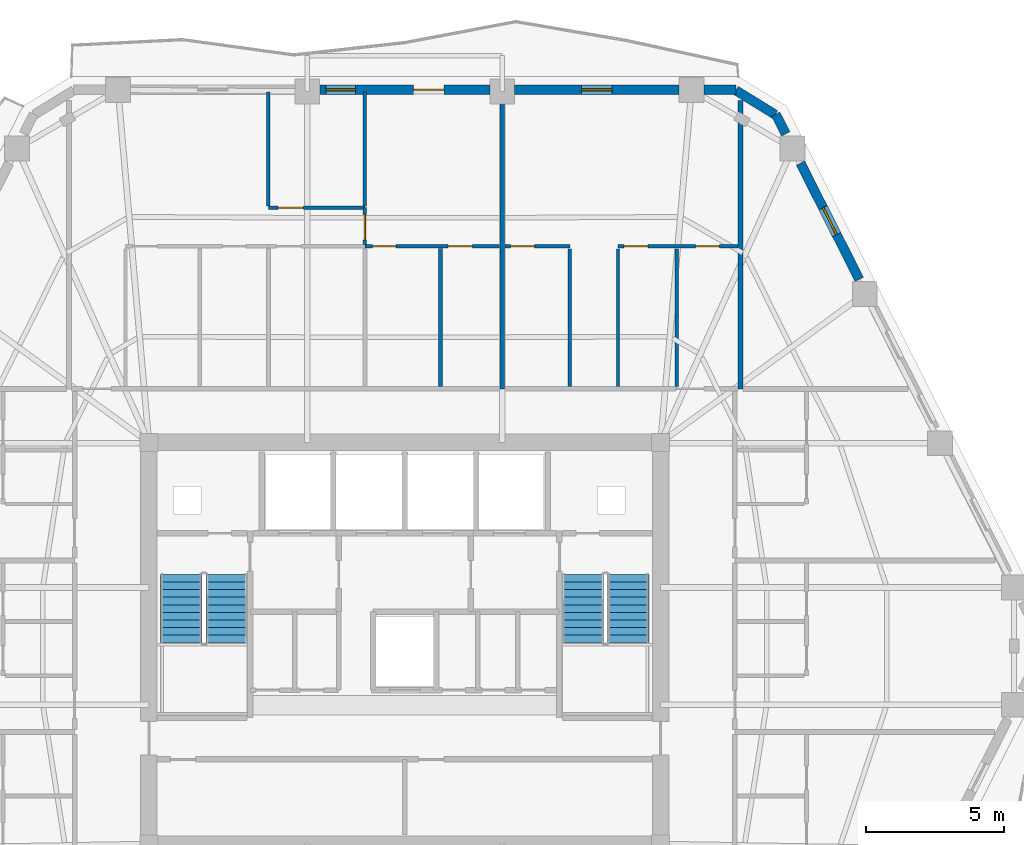
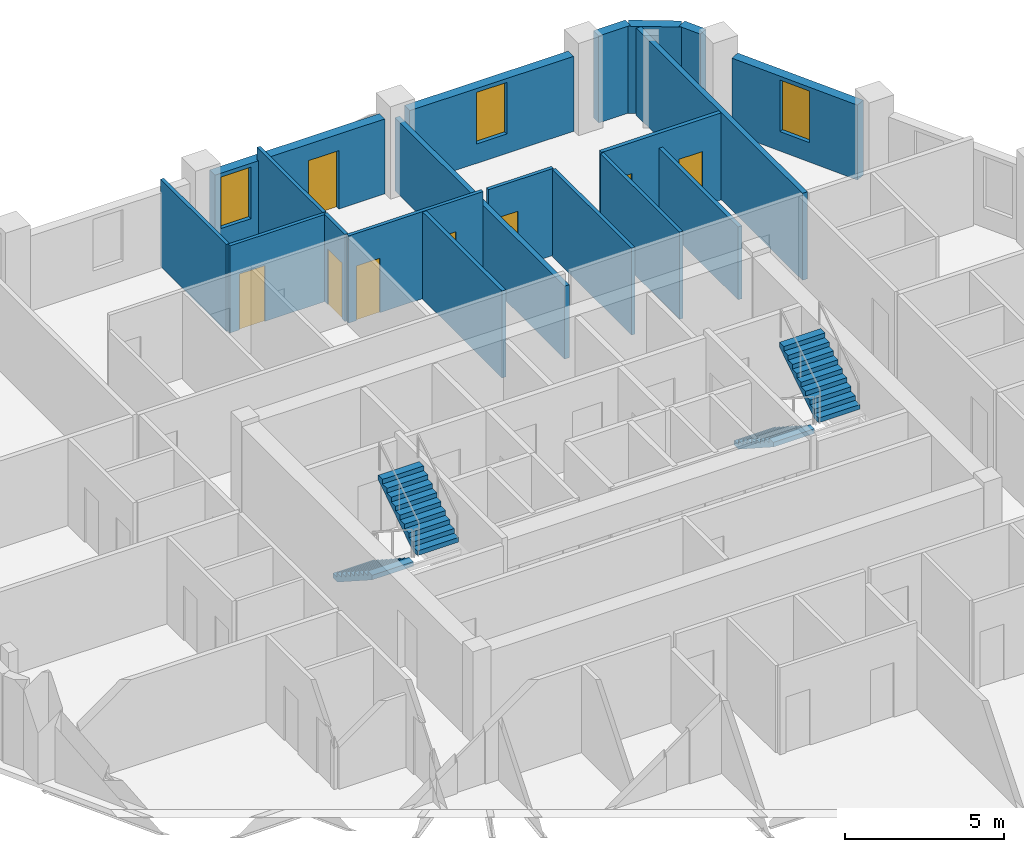
# One storey, part 8 of 10: 19 walls, 8 doors, 4 stair flights, 3 windows, 11 openings, 2 elements without a shape of their own.
"""IFC4 building model written with IfcOpenShell, lengths in metres."""

from ifc_helpers import new_model, si_unit, direction, frame, frame_2d, origin, place, context, subcontext, project, spatial, polyline, rectangle, outline, extrude, material, layer, layer_set, type_object, element, fill, aggregate, save


model = new_model("IFC4")

# Units and contexts
model_context = context("Model", 3, precision=1e-05, world=origin(), true_north=direction((0.0, 1.0)))
body_context = subcontext(model_context, "Body", "Model", "MODEL_VIEW")
ifc_project = project(units=[si_unit("LENGTHUNIT", "METRE"), si_unit("AREAUNIT", "SQUARE_METRE"), si_unit("VOLUMEUNIT", "CUBIC_METRE"), si_unit("PLANEANGLEUNIT", "RADIAN"), si_unit("MASSUNIT", "GRAM", prefix="KILO")], contexts=[model_context])

# Site, building, storey
site_placement = place(None, origin())
site = spatial("IfcSite", under=ifc_project, at=site_placement, CompositionType="ELEMENT")
building_placement = place(site_placement, origin())
building = spatial("IfcBuilding", under=site, at=building_placement, Name="Cinnabar Lancet Tower", CompositionType="ELEMENT")
storey_placement = place(building_placement, frame((0.0, 0.0, 203.85009765625)))
storey = spatial("IfcBuildingStorey", under=building, at=storey_placement, Name="L54", CompositionType="ELEMENT", Elevation=203.85009765625)

# Walls
ifc_material_1 = material(Name="Fire-rated twin-frame acoustic drywall", Category="gypsum")
ifc_layer_1 = layer(ifc_material_1, 0.179931640625)
ifc_layer_set_1 = layer_set([ifc_layer_1], Name="Fire-rated twin-frame acoustic drywall")
wall_type_1 = type_object("IfcWallType", Name="ARC-WL-PARTY-180", PredefinedType="PARTITIONING", material=ifc_layer_set_1)
wall_1_placement = place(storey_placement, frame((35.943115234375, 35.14990234375, 0.0), z_axis=(0.0, 0.0, 1.0), x_axis=(0.0, 1.0, 0.0)))
element("IfcWall", 1, at=wall_1_placement, inside=storey, type_object=wall_type_1, Name="PW-L54-NPTY-359", PredefinedType="PARTITIONING", context=body_context, shape_type="SweptSolid", body=[
    extrude(rectangle(XDim=10.695068359375, YDim=0.179931640625, at=frame_2d((5.34765625, 0.0))), origin(), (0.0, 0.0, 1.0), 2.806884765625),
])
wall_2_placement = place(storey_placement, frame((44.60009765625, 35.14990234375, 0.0), z_axis=(0.0, 0.0, 1.0), x_axis=(0.0, 1.0, 0.0)))
element("IfcWall", 2, at=wall_2_placement, inside=storey, type_object=wall_type_1, Name="PW-L54-NPTY-446", PredefinedType="PARTITIONING", context=body_context, shape_type="SweptSolid", body=[
    extrude(rectangle(XDim=10.482177734375, YDim=0.179931640625, at=frame_2d((5.2412109375, 0.0))), origin(), (0.0, 0.0, 1.0), 3.349853515625),
])

# Wall, openings, doors
ifc_material_2 = material(Name="Gypsum plasterboard stud partition", Category="gypsum")
ifc_layer_2 = layer(ifc_material_2, 0.125)
ifc_layer_set_2 = layer_set([ifc_layer_2], Name="Gypsum plasterboard stud partition")
wall_type_2 = type_object("IfcWallType", Name="ARC-WL-UNIT-125", PredefinedType="PARTITIONING", material=ifc_layer_set_2)
wall_3_placement = place(storey_placement, frame((30.949951171875, 40.3310546875, 0.0), z_axis=(0.0, 0.0, 1.0), x_axis=(1.0, 0.0, 0.0)))
wall_3 = element("IfcWall", 3, at=wall_3_placement, inside=storey, type_object=wall_type_2, Name="UW-L54-N01-SP2", PredefinedType="PARTITIONING", context=body_context, shape_type="SweptSolid", body=[
    extrude(rectangle(XDim=4.89794921875, YDim=0.125, at=frame_2d((2.448974609375, 0.0))), origin(), (0.0, 0.0, 1.0), 3.349853515625),
])
opening_1_placement = place(wall_3_placement, frame((0.280029296875, 0.0, 0.0)))
opening_1 = element("IfcOpeningElement", 4, at=opening_1_placement, cuts=wall_3, Name="Opening BD-01", PredefinedType="OPENING", context=body_context, shape_type="SweptSolid", body=[
    extrude(rectangle(XDim=0.860107421875, YDim=2.10009765625, at=frame_2d((0.43017578125, 1.050048828125))), frame((0.0, 0.072509765625, 0.0), z_axis=(0.0, -1.0, 0.0), x_axis=(1.0, 0.0, 0.0)), (0.0, 0.0, 1.0), 0.14501953125),
])
opening_2_placement = place(wall_3_placement, frame((3.028076171875, 0.0, 0.0)))
opening_2 = element("IfcOpeningElement", 5, at=opening_2_placement, cuts=wall_3, Name="Opening RD-02", PredefinedType="OPENING", context=body_context, shape_type="SweptSolid", body=[
    extrude(rectangle(XDim=0.8798828125, YDim=2.14990234375, at=frame_2d((0.43994140625, 1.074951171875))), frame((0.0, 0.072509765625, 0.0), z_axis=(0.0, -1.0, 0.0), x_axis=(1.0, 0.0, 0.0)), (0.0, 0.0, 1.0), 0.14501953125),
])
ifc_material_3 = material(Name="Moisture-resistant timber bathroom door", Category="wood")
door_type_1 = type_object("IfcDoorType", Name="ARC-DR-BATH", OperationType="NOTDEFINED", PredefinedType="DOOR", material=ifc_material_3)
door_1_placement = place(opening_1_placement, origin())
door_1 = element("IfcDoor", 6, at=door_1_placement, inside=storey, type_object=door_type_1, Name="DR-L54-N01-ENS", OperationType="SINGLE_SWING_RIGHT", OverallHeight=2.10009765625, OverallWidth=0.860107421875, PredefinedType="DOOR", context=body_context, shape_type="SweptSolid", body=[
    extrude(rectangle(XDim=0.860107421875, YDim=2.10009765625, at=frame_2d((0.43017578125, 1.050048828125))), frame((0.0, 0.02490234375, 0.0), z_axis=(0.0, -1.0, 0.0), x_axis=(1.0, 0.0, 0.0)), (0.0, 0.0, 1.0), 0.050048828125),
])
fill(opening_1, door_1)
ifc_material_4 = material(Name="Engineered timber study door", Category="wood")
door_type_2 = type_object("IfcDoorType", Name="ARC-DR-STUDY", OperationType="NOTDEFINED", PredefinedType="DOOR", material=ifc_material_4)
door_2_placement = place(opening_2_placement, origin())
door_2 = element("IfcDoor", 7, at=door_2_placement, inside=storey, type_object=door_type_2, Name="DR-L54-N01-ENS-WDR", OperationType="SINGLE_SWING_LEFT", OverallHeight=2.14990234375, OverallWidth=0.8798828125, PredefinedType="DOOR", context=body_context, shape_type="SweptSolid", body=[
    extrude(rectangle(XDim=0.8798828125, YDim=2.14990234375, at=frame_2d((0.43994140625, 1.074951171875))), frame((0.0, 0.02490234375, 0.0), z_axis=(0.0, -1.0, 0.0), x_axis=(1.0, 0.0, 0.0)), (0.0, 0.0, 1.0), 0.050048828125),
])
fill(opening_2, door_2)

# Wall
wall_4_placement = place(storey_placement, frame((27.44189453125, 41.7958984375, 0.0), z_axis=(0.0, 0.0, 1.0), x_axis=(0.0, 1.0, 0.0)))
element("IfcWall", 8, at=wall_4_placement, inside=storey, type_object=wall_type_2, Name="UW-L54-N01-BD2W", PredefinedType="PARTITIONING", context=body_context, shape_type="SweptSolid", body=[
    extrude(rectangle(XDim=4.13916015625, YDim=0.125, at=frame_2d((2.069580078125, 0.0))), origin(), (0.0, 0.0, 1.0), 3.349853515625),
])

# Wall, opening, door
wall_5_placement = place(storey_placement, frame((27.44189453125, 41.73095703125, 0.0), z_axis=(0.0, 0.0, 1.0), x_axis=(1.0, 0.0, 0.0)))
wall_5 = element("IfcWall", 9, at=wall_5_placement, inside=storey, type_object=wall_type_2, Name="UW-L54-N01-HLN", PredefinedType="PARTITIONING", context=body_context, shape_type="SweptSolid", body=[
    extrude(rectangle(XDim=3.508056640625, YDim=0.125, at=frame_2d((1.75390625, 0.0))), origin(), (0.0, 0.0, 1.0), 3.349853515625),
])
opening_3_placement = place(wall_5_placement, frame((0.35009765625, 0.0, 0.0)))
opening_3 = element("IfcOpeningElement", 10, at=opening_3_placement, cuts=wall_5, Name="Opening RD-01", PredefinedType="OPENING", context=body_context, shape_type="SweptSolid", body=[
    extrude(rectangle(XDim=0.919921875, YDim=2.14990234375, at=frame_2d((0.4599609375, 1.074951171875))), frame((0.0, 0.072509765625, 0.0), z_axis=(0.0, -1.0, 0.0), x_axis=(1.0, 0.0, 0.0)), (0.0, 0.0, 1.0), 0.14501953125),
])
ifc_material_5 = material(Name="Engineered timber bedroom door", Category="wood")
door_type_3 = type_object("IfcDoorType", Name="ARC-DR-ROOM", OperationType="NOTDEFINED", PredefinedType="DOOR", material=ifc_material_5)
door_3_placement = place(opening_3_placement, origin())
door_3 = element("IfcDoor", 11, at=door_3_placement, inside=storey, type_object=door_type_3, Name="DR-L54-N01-BD2", OperationType="SINGLE_SWING_LEFT", OverallHeight=2.14990234375, OverallWidth=0.919921875, PredefinedType="DOOR", context=body_context, shape_type="SweptSolid", body=[
    extrude(rectangle(XDim=0.919921875, YDim=2.14990234375, at=frame_2d((0.4599609375, 1.074951171875))), frame((0.0, 0.02490234375, 0.0), z_axis=(0.0, -1.0, 0.0), x_axis=(1.0, 0.0, 0.0)), (0.0, 0.0, 1.0), 0.050048828125),
])
fill(opening_3, door_3)

wall_6_placement = place(storey_placement, frame((30.949951171875, 40.40087890625, 0.0), z_axis=(0.0, 0.0, 1.0), x_axis=(0.0, 1.0, 0.0)))
wall_6 = element("IfcWall", 12, at=wall_6_placement, inside=storey, type_object=wall_type_2, Name="UW-L54-N01-MBE", PredefinedType="PARTITIONING", context=body_context, shape_type="SweptSolid", body=[
    extrude(rectangle(XDim=1.330078125, YDim=0.125, at=frame_2d((0.6650390625, 0.0))), origin(), (0.0, 0.0, 1.0), 3.349853515625),
])
opening_4_placement = place(wall_6_placement, frame((0.159912109375, 0.0, 0.0)))
opening_4 = element("IfcOpeningElement", 13, at=opening_4_placement, cuts=wall_6, Name="Opening RD-01", PredefinedType="OPENING", context=body_context, shape_type="SweptSolid", body=[
    extrude(rectangle(XDim=0.919921875, YDim=2.14990234375, at=frame_2d((0.4599609375, 1.074951171875))), frame((0.0, 0.072509765625, 0.0), z_axis=(0.0, -1.0, 0.0), x_axis=(1.0, 0.0, 0.0)), (0.0, 0.0, 1.0), 0.14501953125),
])
door_4_placement = place(opening_4_placement, origin())
door_4 = element("IfcDoor", 14, at=door_4_placement, inside=storey, type_object=door_type_3, Name="DR-L54-N01-MBD", OperationType="SINGLE_SWING_LEFT", OverallHeight=2.14990234375, OverallWidth=0.919921875, PredefinedType="DOOR", context=body_context, shape_type="SweptSolid", body=[
    extrude(rectangle(XDim=0.919921875, YDim=2.14990234375, at=frame_2d((0.4599609375, 1.074951171875))), frame((0.0, 0.02490234375, 0.0), z_axis=(0.0, -1.0, 0.0), x_axis=(1.0, 0.0, 0.0)), (0.0, 0.0, 1.0), 0.050048828125),
])
fill(opening_4, door_4)

# Walls
wall_7_placement = place(storey_placement, frame((30.949951171875, 41.7958984375, 0.0), z_axis=(0.0, 0.0, 1.0), x_axis=(0.0, 1.0, 0.0)))
element("IfcWall", 15, at=wall_7_placement, inside=storey, type_object=wall_type_2, Name="UW-L54-N01-MB2W", PredefinedType="PARTITIONING", context=body_context, shape_type="SweptSolid", body=[
    extrude(rectangle(XDim=4.13916015625, YDim=0.125, at=frame_2d((2.069580078125, 0.0))), origin(), (0.0, 0.0, 1.0), 3.349853515625),
])
for number, where, z_axis, x_axis, name in (
    (16, (40.14990234375, 35.235107421875, 0.0), (0.0, 0.0, 1.0), (0.0, 1.0, 0.0), "UW-L54-N02-FOYE"),
    (17, (38.39990234375, 35.235107421875, 0.0), (0.0, 0.0, 1.0), (0.0, 1.0, 0.0), "UW-L54-N02-FOYW"),
):
    element("IfcWall", number, at=place(storey_placement, frame(where, z_axis=z_axis, x_axis=x_axis)), inside=storey, type_object=wall_type_2, Name=name, PredefinedType="PARTITIONING", context=body_context, shape_type="SweptSolid", body=[
        extrude(rectangle(XDim=4.990966796875, YDim=0.125, at=frame_2d((2.49560546875, 0.0))), origin(), (0.0, 0.0, 1.0), 3.349853515625),
    ])

# Wall, opening, door
wall_8_placement = place(storey_placement, frame((36.0380859375, 40.3310546875, 0.0), z_axis=(0.0, 0.0, 1.0), x_axis=(1.0, 0.0, 0.0)))
wall_8 = element("IfcWall", 18, at=wall_8_placement, inside=storey, type_object=wall_type_2, Name="UW-L54-N02-SP0", PredefinedType="PARTITIONING", context=body_context, shape_type="SweptSolid", body=[
    extrude(rectangle(XDim=2.36181640625, YDim=0.125, at=frame_2d((1.180908203125, 0.0))), origin(), (0.0, 0.0, 1.0), 3.349853515625),
])
opening_5_placement = place(wall_8_placement, frame((0.199951171875, 0.0, 0.0)))
opening_5 = element("IfcOpeningElement", 19, at=opening_5_placement, cuts=wall_8, Name="Opening RD-02", PredefinedType="OPENING", context=body_context, shape_type="SweptSolid", body=[
    extrude(rectangle(XDim=0.8798828125, YDim=2.14990234375, at=frame_2d((0.43994140625, 1.074951171875))), frame((0.0, 0.072509765625, 0.0), z_axis=(0.0, -1.0, 0.0), x_axis=(1.0, 0.0, 0.0)), (0.0, 0.0, 1.0), 0.14501953125),
])
door_5_placement = place(opening_5_placement, origin())
door_5 = element("IfcDoor", 20, at=door_5_placement, inside=storey, type_object=door_type_2, Name="DR-L54-N02-EX0", OperationType="SINGLE_SWING_LEFT", OverallHeight=2.14990234375, OverallWidth=0.8798828125, PredefinedType="DOOR", context=body_context, shape_type="SweptSolid", body=[
    extrude(rectangle(XDim=0.8798828125, YDim=2.14990234375, at=frame_2d((0.43994140625, 1.074951171875))), frame((0.0, 0.02490234375, 0.0), z_axis=(0.0, -1.0, 0.0), x_axis=(1.0, 0.0, 0.0)), (0.0, 0.0, 1.0), 0.050048828125),
])
fill(opening_5, door_5)

# Wall
ifc_material_6 = material(Name="Moisture-resistant cement-board plumbing wall", Category="masonry")
ifc_layer_3 = layer(ifc_material_6, 0.139892578125)
ifc_layer_set_3 = layer_set([ifc_layer_3], Name="Moisture-resistant cement-board plumbing wall")
wall_type_3 = type_object("IfcWallType", Name="ARC-WL-WET-140", PredefinedType="PLUMBINGWALL", material=ifc_layer_set_3)
wall_9_placement = place(storey_placement, frame((33.697998046875, 35.235107421875, 0.0), z_axis=(0.0, 0.0, 1.0), x_axis=(0.0, 1.0, 0.0)))
element("IfcWall", 21, at=wall_9_placement, inside=storey, type_object=wall_type_3, Name="UW-L54-N01-ENS-WDV", PredefinedType="PLUMBINGWALL", context=body_context, shape_type="SweptSolid", body=[
    extrude(rectangle(XDim=5.010986328125, YDim=0.139892578125, at=frame_2d((2.50537109375, 0.0))), origin(), (0.0, 0.0, 1.0), 3.349853515625),
])

# Wall, openings, doors
wall_10_placement = place(storey_placement, frame((40.14990234375, 40.3310546875, 0.0), z_axis=(0.0, 0.0, 1.0), x_axis=(1.0, 0.0, 0.0)))
wall_10 = element("IfcWall", 22, at=wall_10_placement, inside=storey, type_object=wall_type_3, Name="UW-L54-N02-SPL", PredefinedType="PLUMBINGWALL", context=body_context, shape_type="SweptSolid", body=[
    extrude(rectangle(XDim=4.35498046875, YDim=0.139892578125, at=frame_2d((2.177490234375, 0.0))), origin(), (0.0, 0.0, 1.0), 3.349853515625),
])
opening_6_placement = place(wall_10_placement, frame((2.821044921875, 0.0, 0.0)))
opening_6 = element("IfcOpeningElement", 23, at=opening_6_placement, cuts=wall_10, Name="Opening BD-01", PredefinedType="OPENING", context=body_context, shape_type="SweptSolid", body=[
    extrude(rectangle(XDim=0.860107421875, YDim=2.10009765625, at=frame_2d((0.43017578125, 1.050048828125))), frame((0.0, 0.079833984375, 0.0), z_axis=(0.0, -1.0, 0.0), x_axis=(1.0, 0.0, 0.0)), (0.0, 0.0, 1.0), 0.159912109375),
])
opening_7_placement = place(wall_10_placement, frame((0.219970703125, 0.0, 0.0)))
opening_7 = element("IfcOpeningElement", 24, at=opening_7_placement, cuts=wall_10, Name="Opening RD-02", PredefinedType="OPENING", context=body_context, shape_type="SweptSolid", body=[
    extrude(rectangle(XDim=0.8798828125, YDim=2.14990234375, at=frame_2d((0.43994140625, 1.074951171875))), frame((0.0, 0.079833984375, 0.0), z_axis=(0.0, -1.0, 0.0), x_axis=(1.0, 0.0, 0.0)), (0.0, 0.0, 1.0), 0.159912109375),
])
door_6_placement = place(opening_6_placement, origin())
door_6 = element("IfcDoor", 25, at=door_6_placement, inside=storey, type_object=door_type_1, Name="DR-L54-N02-BTH", OperationType="SINGLE_SWING_LEFT", OverallHeight=2.10009765625, OverallWidth=0.860107421875, PredefinedType="DOOR", context=body_context, shape_type="SweptSolid", body=[
    extrude(rectangle(XDim=0.860107421875, YDim=2.10009765625, at=frame_2d((0.43017578125, 1.050048828125))), frame((0.0, 0.02490234375, 0.0), z_axis=(0.0, -1.0, 0.0), x_axis=(1.0, 0.0, 0.0)), (0.0, 0.0, 1.0), 0.050048828125),
])
fill(opening_6, door_6)
door_7_placement = place(opening_7_placement, origin())
door_7 = element("IfcDoor", 26, at=door_7_placement, inside=storey, type_object=door_type_2, Name="DR-L54-N02-KIT", OperationType="SINGLE_SWING_RIGHT", OverallHeight=2.14990234375, OverallWidth=0.8798828125, PredefinedType="DOOR", context=body_context, shape_type="SweptSolid", body=[
    extrude(rectangle(XDim=0.8798828125, YDim=2.14990234375, at=frame_2d((0.43994140625, 1.074951171875))), frame((0.0, 0.02490234375, 0.0), z_axis=(0.0, -1.0, 0.0), x_axis=(1.0, 0.0, 0.0)), (0.0, 0.0, 1.0), 0.050048828125),
])
fill(opening_7, door_7)

# Walls
wall_11_placement = place(storey_placement, frame((42.285888671875, 35.235107421875, 0.0), z_axis=(0.0, 0.0, 1.0), x_axis=(0.0, 1.0, 0.0)))
element("IfcWall", 27, at=wall_11_placement, inside=storey, type_object=wall_type_3, Name="UW-L54-N02-KDV", PredefinedType="PLUMBINGWALL", context=body_context, shape_type="SweptSolid", body=[
    extrude(rectangle(XDim=4.990966796875, YDim=0.139892578125, at=frame_2d((2.49560546875, 0.0))), origin(), (0.0, 0.0, 1.0), 2.806884765625),
])
ifc_material_7 = material(Name="Cinnabar red clay brick", Category="masonry")
ifc_layer_4 = layer(ifc_material_7, 0.340087890625)
ifc_layer_set_4 = layer_set([ifc_layer_4], Name="Cinnabar red clay brick")
wall_type_4 = type_object("IfcWallType", Name="ENV-WL-BRK-RED-340", PredefinedType="STANDARD", material=ifc_layer_set_4)
wall_12_placement = place(storey_placement, frame((45.862060546875, 45.115966796875, 0.0), z_axis=(0.0, 0.0, 1.0), x_axis=(-0.851713271379, 0.524008113828, 0.0)))
element("IfcWall", 28, at=wall_12_placement, inside=storey, type_object=wall_type_4, Name="L54 Chamfered Corner Brick Pier 4.1", PredefinedType="STANDARD", context=body_context, shape_type="SweptSolid", body=[
    extrude(rectangle(XDim=1.677734375, YDim=0.340087890625, at=frame_2d((0.8388671875, 0.0))), origin(), (0.0, 0.0, 1.0), 3.349853515625),
])

# Wall, opening, window
wall_13_placement = place(storey_placement, frame((48.9189453125, 39.1298828125, 0.0), z_axis=(0.0, 0.0, 1.0), x_axis=(-0.45150207307, 0.892270070109, 0.0)))
wall_13 = element("IfcWall", 29, at=wall_13_placement, inside=storey, type_object=wall_type_4, Name="L54 Face 3 Masonry Bay Wall 4", PredefinedType="STANDARD", context=body_context, shape_type="SweptSolid", body=[
    extrude(rectangle(XDim=4.73095703125, YDim=0.340087890625, at=frame_2d((2.365478515625, 0.0))), origin(), (0.0, 0.0, 1.0), 2.8828125),
])
opening_8_placement = place(wall_13_placement, frame((1.81494140625, 0.0, 0.75)))
opening_8 = element("IfcOpeningElement", 30, at=opening_8_placement, cuts=wall_13, Name="Opening WN-04", PredefinedType="OPENING", context=body_context, shape_type="SweptSolid", body=[
    extrude(rectangle(XDim=1.10009765625, YDim=1.98291015625, at=frame_2d((0.550048828125, 0.991455078125))), frame((0.0, 0.179931640625, 0.0), z_axis=(0.0, -1.0, 0.0), x_axis=(1.0, 0.0, 0.0)), (0.0, 0.0, 1.0), 0.360107421875),
])
ifc_material_8 = material(Name="Thermally broken bronze-anodized aluminium tall lancet window", Category="aluminium")
window_type = type_object("IfcWindowType", Name="ENV-WN-LANCET-1100", PartitioningType="SINGLE_PANEL", PredefinedType="WINDOW", material=ifc_material_8)
window_1_placement = place(opening_8_placement, origin())
window_1 = element("IfcWindow", 31, at=window_1_placement, inside=storey, type_object=window_type, Name="L54 Face 3 Gothic Lancet Window 4", OverallHeight=1.98291015625, OverallWidth=1.10009765625, PartitioningType="SINGLE_PANEL", PredefinedType="WINDOW", context=body_context, shape_type="SweptSolid", body=[
    extrude(rectangle(XDim=1.10009765625, YDim=1.98291015625, at=frame_2d((0.550048828125, 0.991455078125))), frame((0.0, 0.030029296875, 0.0), z_axis=(0.0, -1.0, 0.0), x_axis=(1.0, 0.0, 0.0)), (0.0, 0.0, 1.0), 0.06005859375),
])
fill(opening_8, window_1)

# Walls
wall_14_placement = place(storey_placement, frame((46.24609375, 44.4130859375, 0.0), z_axis=(0.0, 0.0, 1.0), x_axis=(-0.451691568309, 0.892174157392, 0.0)))
element("IfcWall", 32, at=wall_14_placement, inside=storey, type_object=wall_type_4, Name="L54 Face 3 Masonry Bay Wall 5", PredefinedType="STANDARD", context=body_context, shape_type="SweptSolid", body=[
    extrude(rectangle(XDim=0.805908203125, YDim=0.340087890625, at=frame_2d((0.40283203125, 0.0))), origin(), (0.0, 0.0, 1.0), 3.349853515625),
])
wall_15_placement = place(storey_placement, frame((44.43798828125, 46.02001953125, 0.0), z_axis=(0.0, 0.0, 1.0), x_axis=(-1.0, 0.0, 0.0)))
element("IfcWall", 33, at=wall_15_placement, inside=storey, type_object=wall_type_4, Name="L54 Face 4 Masonry Bay Wall 1", PredefinedType="STANDARD", context=body_context, shape_type="SweptSolid", body=[
    extrude(rectangle(XDim=1.1630859375, YDim=0.340087890625, at=frame_2d((0.58154296875, 0.0))), origin(), (0.0, 0.0, 1.0), 3.349853515625),
])

# Wall, opening, window
wall_16_placement = place(storey_placement, frame((42.366943359375, 46.02001953125, 0.0), z_axis=(0.0, 0.0, 1.0), x_axis=(-1.0, 0.0, 0.0)))
wall_16 = element("IfcWall", 34, at=wall_16_placement, inside=storey, type_object=wall_type_4, Name="L54 Face 4 Masonry Bay Wall 2", PredefinedType="STANDARD", context=body_context, shape_type="SweptSolid", body=[
    extrude(rectangle(XDim=5.969970703125, YDim=0.340087890625, at=frame_2d((2.98486328125, 0.0))), origin(), (0.0, 0.0, 1.0), 2.8828125),
])
opening_9_placement = place(wall_16_placement, frame((2.43505859375, 0.0, 0.75)))
opening_9 = element("IfcOpeningElement", 35, at=opening_9_placement, cuts=wall_16, Name="Opening WN-04", PredefinedType="OPENING", context=body_context, shape_type="SweptSolid", body=[
    extrude(rectangle(XDim=1.10009765625, YDim=1.98291015625, at=frame_2d((0.550048828125, 0.991455078125))), frame((0.0, 0.179931640625, 0.0), z_axis=(0.0, -1.0, 0.0), x_axis=(1.0, 0.0, 0.0)), (0.0, 0.0, 1.0), 0.360107421875),
])
window_2_placement = place(opening_9_placement, origin())
window_2 = element("IfcWindow", 36, at=window_2_placement, inside=storey, type_object=window_type, Name="L54 Face 4 Gothic Lancet Window 2", OverallHeight=1.98291015625, OverallWidth=1.10009765625, PartitioningType="SINGLE_PANEL", PredefinedType="WINDOW", context=body_context, shape_type="SweptSolid", body=[
    extrude(rectangle(XDim=1.10009765625, YDim=1.98291015625, at=frame_2d((0.550048828125, 0.991455078125))), frame((0.0, 0.030029296875, 0.0), z_axis=(0.0, -1.0, 0.0), x_axis=(1.0, 0.0, 0.0)), (0.0, 0.0, 1.0), 0.06005859375),
])
fill(opening_9, window_2)

# Wall, openings, door, window
wall_17_placement = place(storey_placement, frame((35.489013671875, 46.02001953125, 0.0), z_axis=(0.0, 0.0, 1.0), x_axis=(-1.0, 0.0, 0.0)))
wall_17 = element("IfcWall", 37, at=wall_17_placement, inside=storey, type_object=wall_type_4, Name="L54 Face 4 Masonry Bay Wall 3", PredefinedType="STANDARD", context=body_context, shape_type="SweptSolid", body=[
    extrude(rectangle(XDim=6.177978515625, YDim=0.340087890625, at=frame_2d((3.0888671875, 0.0))), origin(), (0.0, 0.0, 1.0), 2.8828125),
])
opening_10_placement = place(wall_17_placement, frame((1.66796875, 0.0, 0.0)))
opening_10 = element("IfcOpeningElement", 38, at=opening_10_placement, cuts=wall_17, Name="Opening TD-01", PredefinedType="OPENING", context=body_context, shape_type="SweptSolid", body=[
    extrude(rectangle(XDim=1.10009765625, YDim=2.25, at=frame_2d((0.550048828125, 1.125))), frame((0.0, 0.179931640625, 0.0), z_axis=(0.0, -1.0, 0.0), x_axis=(1.0, 0.0, 0.0)), (0.0, 0.0, 1.0), 0.360107421875),
])
opening_11_placement = place(wall_17_placement, frame((4.8720703125, 0.0, 0.75)))
opening_11 = element("IfcOpeningElement", 39, at=opening_11_placement, cuts=wall_17, Name="Opening WN-04", PredefinedType="OPENING", context=body_context, shape_type="SweptSolid", body=[
    extrude(rectangle(XDim=1.0859375, YDim=1.98291015625, at=frame_2d((0.54296875, 0.991455078125))), frame((0.0, 0.179931640625, 0.0), z_axis=(0.0, -1.0, 0.0), x_axis=(1.0, 0.0, 0.0)), (0.0, 0.0, 1.0), 0.360107421875),
])
ifc_material_9 = material(Name="Thermally broken low-E glazed balcony terrace door", Category="wood")
door_type_4 = type_object("IfcDoorType", Name="ARC-DR-BALC", OperationType="NOTDEFINED", PredefinedType="DOOR", material=ifc_material_9)
door_8_placement = place(opening_10_placement, origin())
door_8 = element("IfcDoor", 40, at=door_8_placement, inside=storey, type_object=door_type_4, Name="L54 Face 4 Glazed Terrace Door", OperationType="SINGLE_SWING_LEFT", OverallHeight=2.25, OverallWidth=1.10009765625, PredefinedType="DOOR", context=body_context, shape_type="SweptSolid", body=[
    extrude(rectangle(XDim=1.10009765625, YDim=2.25, at=frame_2d((0.550048828125, 1.125))), frame((0.0, 0.02490234375, 0.0), z_axis=(0.0, -1.0, 0.0), x_axis=(1.0, 0.0, 0.0)), (0.0, 0.0, 1.0), 0.050048828125),
])
fill(opening_10, door_8)
window_3_placement = place(opening_11_placement, origin())
window_3 = element("IfcWindow", 41, at=window_3_placement, inside=storey, type_object=window_type, Name="L54 Split-Bay Gothic Lancet Window 184", OverallHeight=1.98291015625, OverallWidth=1.0859375, PartitioningType="SINGLE_PANEL", PredefinedType="WINDOW", context=body_context, shape_type="SweptSolid", body=[
    extrude(rectangle(XDim=1.0859375, YDim=1.98291015625, at=frame_2d((0.54296875, 0.991455078125))), frame((0.0, 0.030029296875, 0.0), z_axis=(0.0, -1.0, 0.0), x_axis=(1.0, 0.0, 0.0)), (0.0, 0.0, 1.0), 0.06005859375),
])
fill(opening_11, window_3)

# Stair, stair flights
ifc_material_10 = material(Name="Concrete C40/50", Category="concrete")
stair_type = type_object("IfcStairType", Name="ST-CORE", PredefinedType="HALF_TURN_STAIR", material=ifc_material_10)
stair_1_placement = place(storey_placement, origin())
stair_1 = element("IfcStair", 42, at=stair_1_placement, inside=storey, type_object=stair_type, Name="L54 ST-1", PredefinedType="HALF_TURN_STAIR")
ifc_material_11 = material(Name="Concrete C40/50", Category="concrete")
stair_flight_type = type_object("IfcStairFlightType", Name="FLIGHT-CORE", PredefinedType="STRAIGHT", material=ifc_material_11)
stair_flight_1_placement = place(storey_placement, frame((24.27490234375, 28.39990234375, 0.0), z_axis=(0.0, 0.0, 1.0), x_axis=(0.0, -1.0, 0.0)))
stair_flight_1 = element("IfcStairFlight", 43, at=stair_flight_1_placement, type_object=stair_flight_type, Name="ST-1 flight 1", NumberOfRisers=10, NumberOfTreads=9, PredefinedType="STRAIGHT", RiserHeight=0.1775, TreadLength=0.275, context=body_context, shape_type="SweptSolid", body=[
    extrude(outline(polyline([(0.0, 0.0), (0.0, 0.177490234375), (0.27490234375, 0.177490234375), (0.27490234375, 0.35498046875), (0.550048828125, 0.35498046875), (0.550048828125, 0.532470703125), (0.824951171875, 0.532470703125), (0.824951171875, 0.7099609375), (1.10009765625, 0.7099609375), (1.10009765625, 0.887451171875), (1.375, 0.887451171875), (1.375, 1.06494140625), (1.64990234375, 1.06494140625), (1.64990234375, 1.242431640625), (1.925048828125, 1.242431640625), (1.925048828125, 1.419921875), (2.199951171875, 1.419921875), (2.199951171875, 1.597412109375), (2.47509765625, 1.597412109375), (2.47509765625, 1.77490234375), (2.47509765625, 1.419189453125), (0.2763671875, 0.0), (0.0, 0.0)])), frame((0.0, 0.75, 0.0), z_axis=(0.0, -1.0, 0.0), x_axis=(1.0, 0.0, 0.0)), (0.0, 0.0, 1.0), 1.5),
])
stair_flight_2_placement = place(storey_placement, frame((25.925048828125, 25.925048828125, 1.77490234375), z_axis=(0.0, 0.0, 1.0), x_axis=(0.0, 1.0, 0.0)))
stair_flight_2 = element("IfcStairFlight", 44, at=stair_flight_2_placement, type_object=stair_flight_type, Name="ST-1 flight 2", NumberOfRisers=10, NumberOfTreads=9, PredefinedType="STRAIGHT", RiserHeight=0.1775, TreadLength=0.275, context=body_context, shape_type="SweptSolid", body=[
    extrude(outline(polyline([(0.0, 0.0), (0.0, 0.177490234375), (0.27490234375, 0.177490234375), (0.27490234375, 0.35498046875), (0.550048828125, 0.35498046875), (0.550048828125, 0.532470703125), (0.824951171875, 0.532470703125), (0.824951171875, 0.7099609375), (1.10009765625, 0.7099609375), (1.10009765625, 0.887451171875), (1.375, 0.887451171875), (1.375, 1.06494140625), (1.64990234375, 1.06494140625), (1.64990234375, 1.242431640625), (1.925048828125, 1.242431640625), (1.925048828125, 1.419921875), (2.199951171875, 1.419921875), (2.199951171875, 1.597412109375), (2.47509765625, 1.597412109375), (2.47509765625, 1.77490234375), (2.47509765625, 1.419189453125), (0.2763671875, 0.0), (0.0, 0.0)])), frame((0.0, 0.75, 0.0), z_axis=(0.0, -1.0, 0.0), x_axis=(1.0, 0.0, 0.0)), (0.0, 0.0, 1.0), 1.5),
])
aggregate(stair_1, [stair_flight_1, stair_flight_2])

stair_2_placement = place(storey_placement, origin())
stair_2 = element("IfcStair", 45, at=stair_2_placement, inside=storey, type_object=stair_type, Name="L54 ST-2", PredefinedType="HALF_TURN_STAIR")
stair_flight_3_placement = place(storey_placement, frame((38.875, 28.39990234375, 0.0), z_axis=(0.0, 0.0, 1.0), x_axis=(0.0, -1.0, 0.0)))
stair_flight_3 = element("IfcStairFlight", 46, at=stair_flight_3_placement, type_object=stair_flight_type, Name="ST-2 flight 1", NumberOfRisers=10, NumberOfTreads=9, PredefinedType="STRAIGHT", RiserHeight=0.1775, TreadLength=0.275, context=body_context, shape_type="SweptSolid", body=[
    extrude(outline(polyline([(0.0, 0.0), (0.0, 0.177490234375), (0.27490234375, 0.177490234375), (0.27490234375, 0.35498046875), (0.550048828125, 0.35498046875), (0.550048828125, 0.532470703125), (0.824951171875, 0.532470703125), (0.824951171875, 0.7099609375), (1.10009765625, 0.7099609375), (1.10009765625, 0.887451171875), (1.375, 0.887451171875), (1.375, 1.06494140625), (1.64990234375, 1.06494140625), (1.64990234375, 1.242431640625), (1.925048828125, 1.242431640625), (1.925048828125, 1.419921875), (2.199951171875, 1.419921875), (2.199951171875, 1.597412109375), (2.47509765625, 1.597412109375), (2.47509765625, 1.77490234375), (2.47509765625, 1.419189453125), (0.2763671875, 0.0), (0.0, 0.0)])), frame((0.0, 0.75, 0.0), z_axis=(0.0, -1.0, 0.0), x_axis=(1.0, 0.0, 0.0)), (0.0, 0.0, 1.0), 1.5),
])
stair_flight_4_placement = place(storey_placement, frame((40.52490234375, 25.925048828125, 1.77490234375), z_axis=(0.0, 0.0, 1.0), x_axis=(0.0, 1.0, 0.0)))
stair_flight_4 = element("IfcStairFlight", 47, at=stair_flight_4_placement, type_object=stair_flight_type, Name="ST-2 flight 2", NumberOfRisers=10, NumberOfTreads=9, PredefinedType="STRAIGHT", RiserHeight=0.1775, TreadLength=0.275, context=body_context, shape_type="SweptSolid", body=[
    extrude(outline(polyline([(0.0, 0.0), (0.0, 0.177490234375), (0.27490234375, 0.177490234375), (0.27490234375, 0.35498046875), (0.550048828125, 0.35498046875), (0.550048828125, 0.532470703125), (0.824951171875, 0.532470703125), (0.824951171875, 0.7099609375), (1.10009765625, 0.7099609375), (1.10009765625, 0.887451171875), (1.375, 0.887451171875), (1.375, 1.06494140625), (1.64990234375, 1.06494140625), (1.64990234375, 1.242431640625), (1.925048828125, 1.242431640625), (1.925048828125, 1.419921875), (2.199951171875, 1.419921875), (2.199951171875, 1.597412109375), (2.47509765625, 1.597412109375), (2.47509765625, 1.77490234375), (2.47509765625, 1.419189453125), (0.2763671875, 0.0), (0.0, 0.0)])), frame((0.0, 0.75, 0.0), z_axis=(0.0, -1.0, 0.0), x_axis=(1.0, 0.0, 0.0)), (0.0, 0.0, 1.0), 1.5),
])
aggregate(stair_2, [stair_flight_3, stair_flight_4])

save(model, "model.ifc")
